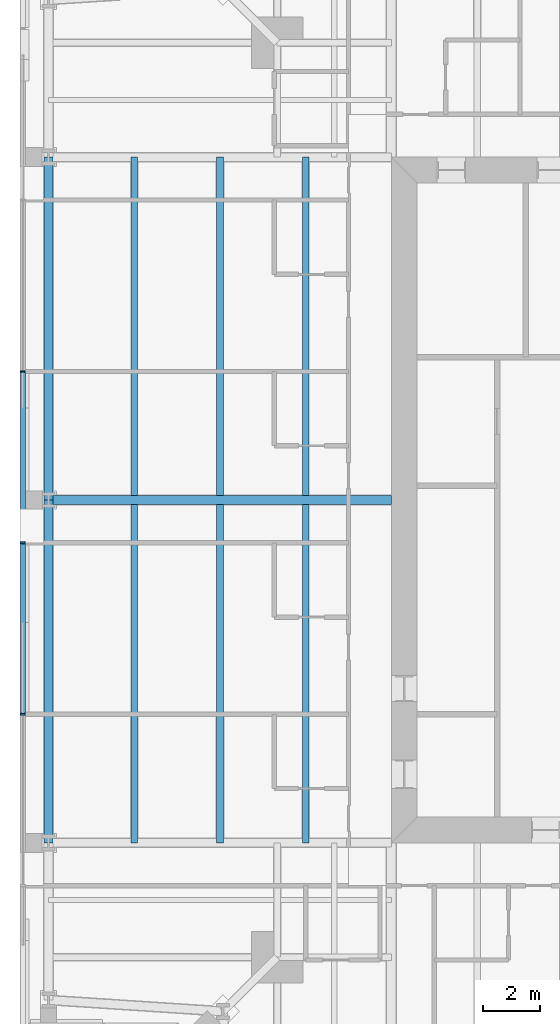
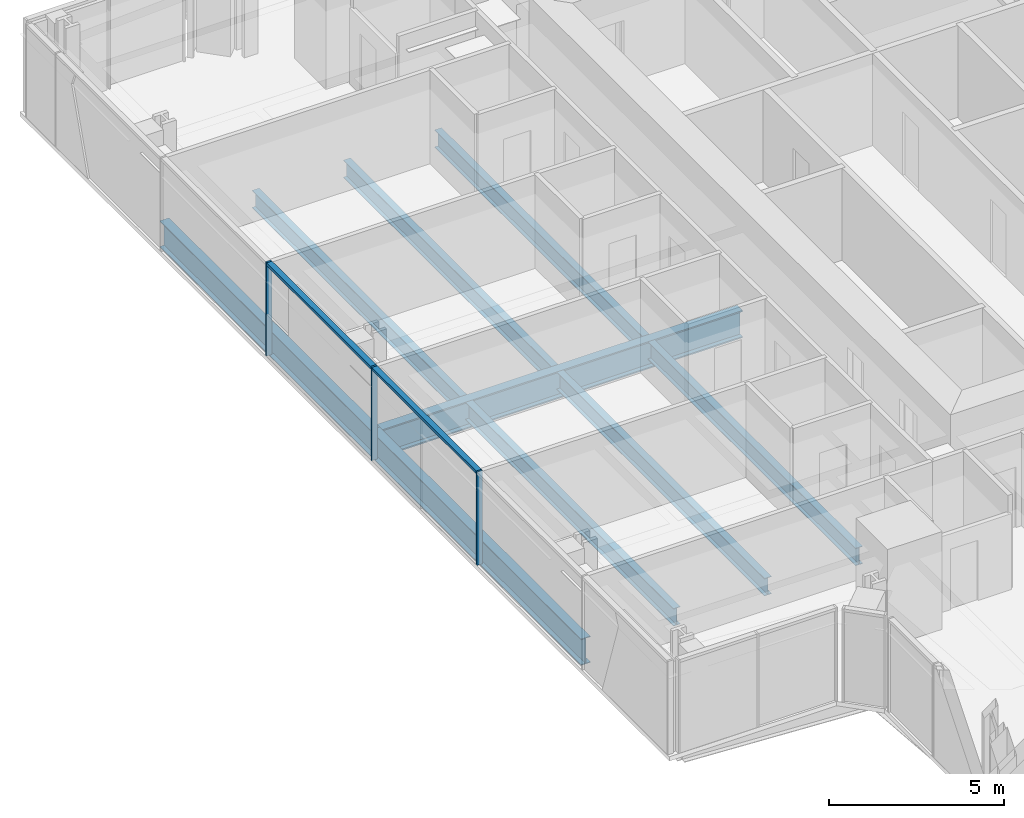
# One storey, part 4 of 20: 9 beams, 5 members, 1 element without a shape of its own.
"""IFC4 building model written with IfcOpenShell, lengths in metres."""

from ifc_helpers import new_model, si_unit, direction, frame, origin, origin_2d, place, context, subcontext, project, spatial, rectangle, i_section, extrude, material, material_profile, profile_set, type_object, element, aggregate, save


model = new_model("IFC4")

# Units and contexts
model_context = context("Model", 3, precision=1e-05, world=origin(), true_north=direction((0.0, 1.0)))
body_context = subcontext(model_context, "Body", "Model", "MODEL_VIEW")
ifc_project = project(units=[si_unit("LENGTHUNIT", "METRE"), si_unit("AREAUNIT", "SQUARE_METRE"), si_unit("VOLUMEUNIT", "CUBIC_METRE"), si_unit("PLANEANGLEUNIT", "RADIAN"), si_unit("MASSUNIT", "GRAM", prefix="KILO")], contexts=[model_context])

# Site, building, storey
site_placement = place(None, origin())
site = spatial("IfcSite", under=ifc_project, at=site_placement, CompositionType="ELEMENT")
building_placement = place(site_placement, origin())
building = spatial("IfcBuilding", under=site, at=building_placement, Name="Fenwick Lantern Interchange", CompositionType="ELEMENT")
storey_placement = place(building_placement, frame((0.0, 0.0, 252.60009765625)))
storey = spatial("IfcBuildingStorey", under=building, at=storey_placement, Name="L59", CompositionType="ELEMENT", Elevation=252.60009765625)

# Beams
ifc_material_1 = material(Name="Steel ASTM A992 Grade 50", Category="steel")
ifc_material_profile_1 = material_profile(ifc_material_1, i_section(OverallWidth=0.3046875, OverallDepth=0.911865234375, WebThickness=0.015869140625, FlangeThickness=0.02392578125, at=origin_2d()), Name="W36X150")
ifc_profile_set_1 = profile_set([ifc_material_profile_1], Name="Steel ASTM A992 Grade 50")
beam_type_1 = type_object("IfcBeamType", Name="EDGE BEAM W36X150", PredefinedType="SPANDREL", material=ifc_profile_set_1)
for number, where, z_axis, x_axis, name in (
    (1, (1.0, 37.0, -0.60595703125), (0.0, -1.0, 0.0), (1.0, 0.0, 0.0), "L59/FR/W/EB2"),
    (2, (1.0, 25.0, -0.60595703125), (0.0, -1.0, 0.0), (1.0, 0.0, 0.0), "L59/FR/W/EB3"),
):
    element("IfcBeam", number, at=place(storey_placement, frame(where, z_axis=z_axis, x_axis=x_axis)), inside=storey, type_object=beam_type_1, Name=name, PredefinedType="SPANDREL", context=body_context, shape_type="SweptSolid", body=[
        extrude(i_section(OverallWidth=0.3046875, OverallDepth=0.911865234375, WebThickness=0.015869140625, FlangeThickness=0.02392578125, at=origin_2d()), origin(), (0.0, 0.0, 1.0), 12.0),
    ])
ifc_material_profile_2 = material_profile(ifc_material_1, i_section(OverallWidth=0.22900390625, OverallDepth=0.612060546875, WebThickness=0.011962890625, FlangeThickness=0.01953125, at=origin_2d()), Name="W24X84")
ifc_profile_set_2 = profile_set([ifc_material_profile_2], Name="Steel ASTM A992 Grade 50")
beam_type_2 = type_object("IfcBeamType", Name="FLOOR BEAM W24X84", PredefinedType="BEAM", material=ifc_profile_set_2)
for number, where, z_axis, x_axis, name in (
    (3, (4.0, 37.0, -0.4560546875), (0.0, -1.0, 0.0), (1.0, 0.0, 0.0), "L59/FR/W/B01"),
    (4, (7.0, 37.0, -0.4560546875), (0.0, -1.0, 0.0), (1.0, 0.0, 0.0), "L59/FR/W/B02"),
    (5, (10.0, 37.0, -0.4560546875), (0.0, -1.0, 0.0), (1.0, 0.0, 0.0), "L59/FR/W/B03"),
    (6, (4.0, 24.844970703125, -0.4560546875), (0.0, -1.0, 0.0), (1.0, 0.0, 0.0), "L59/FR/W/B04"),
    (7, (7.0, 24.844970703125, -0.4560546875), (0.0, -1.0, 0.0), (1.0, 0.0, 0.0), "L59/FR/W/B05"),
    (8, (10.0, 24.844970703125, -0.4560546875), (0.0, -1.0, 0.0), (1.0, 0.0, 0.0), "L59/FR/W/B06"),
):
    element("IfcBeam", number, at=place(storey_placement, frame(where, z_axis=z_axis, x_axis=x_axis)), inside=storey, type_object=beam_type_2, Name=name, PredefinedType="BEAM", context=body_context, shape_type="SweptSolid", body=[
        extrude(i_section(OverallWidth=0.22900390625, OverallDepth=0.612060546875, WebThickness=0.011962890625, FlangeThickness=0.01953125, at=origin_2d()), origin(), (0.0, 0.0, 1.0), 11.844970703125),
    ])

# Curtain wall, members
ifc_material_2 = material(Name="Aluminium curtain wall frame", Category="aluminium")
curtain_wall_type = type_object("IfcCurtainWallType", Name="HOTEL CURTAIN WALL", PredefinedType="USERDEFINED", material=ifc_material_2)
curtain_wall_placement = place(storey_placement, origin())
curtain_wall = element("IfcCurtainWall", 9, at=curtain_wall_placement, inside=storey, type_object=curtain_wall_type, Name="Hotel curtain wall 13", ObjectType="HOTEL CURTAIN WALL", PredefinedType="USERDEFINED")
ifc_material_3 = material(Name="Aluminium extrusion", Category="aluminium")
ifc_material_profile_3 = material_profile(ifc_material_3, rectangle(XDim=0.179931640625, YDim=0.06005859375, at=origin_2d()), Name="HOTEL CURTAIN WALL MULLION 60 X 180")
ifc_profile_set_3 = profile_set([ifc_material_profile_3], Name="Aluminium extrusion")
member_type_1 = type_object("IfcMemberType", Name="HOTEL CURTAIN WALL MULLION 60 X 180", PredefinedType="MULLION", material=ifc_profile_set_3)
member_1_placement = place(storey_placement, frame((0.10009765625, 29.5, 0.0), z_axis=(0.0, 0.0, 1.0), x_axis=(1.0, 0.0, 0.0)))
member_1 = element("IfcMember", 10, at=member_1_placement, type_object=member_type_1, Name="L59/CW/13/M03", PredefinedType="MULLION", context=body_context, shape_type="SweptSolid", body=[
    extrude(rectangle(XDim=0.179931640625, YDim=0.06005859375, at=origin_2d()), origin(), (0.0, 0.0, 1.0), 3.25),
])
member_2_placement = place(storey_placement, frame((0.10009765625, 23.5, 0.0), z_axis=(0.0, 0.0, 1.0), x_axis=(1.0, 0.0, 0.0)))
member_2 = element("IfcMember", 11, at=member_2_placement, type_object=member_type_1, Name="L59/CW/13/M04", PredefinedType="MULLION", context=body_context, shape_type="SweptSolid", body=[
    extrude(rectangle(XDim=0.179931640625, YDim=0.06005859375, at=origin_2d()), origin(), (0.0, 0.0, 1.0), 3.25),
])
member_3_placement = place(storey_placement, frame((0.10009765625, 17.5, 0.0), z_axis=(0.0, 0.0, 1.0), x_axis=(1.0, 0.0, 0.0)))
member_3 = element("IfcMember", 12, at=member_3_placement, type_object=member_type_1, Name="L59/CW/13/M05", PredefinedType="MULLION", context=body_context, shape_type="SweptSolid", body=[
    extrude(rectangle(XDim=0.179931640625, YDim=0.06005859375, at=origin_2d()), origin(), (0.0, 0.0, 1.0), 3.25),
])
ifc_material_profile_4 = material_profile(ifc_material_3, rectangle(XDim=0.179931640625, YDim=0.10009765625, at=origin_2d()), Name="HOTEL CURTAIN WALL TRANSOM 100 X 180")
ifc_profile_set_4 = profile_set([ifc_material_profile_4], Name="Aluminium extrusion")
member_type_2 = type_object("IfcMemberType", Name="HOTEL CURTAIN WALL TRANSOM 100 X 180", PredefinedType="MULLION", material=ifc_profile_set_4)
member_4_placement = place(storey_placement, frame((0.10009765625, 29.469970703125, 3.199951171875), z_axis=(0.0, -1.0, 0.0), x_axis=(1.0, 0.0, 0.0)))
member_4 = element("IfcMember", 13, at=member_4_placement, type_object=member_type_2, Name="L59/CW/13/T03", PredefinedType="MULLION", context=body_context, shape_type="SweptSolid", body=[
    extrude(rectangle(XDim=0.179931640625, YDim=0.10009765625, at=origin_2d()), origin(), (0.0, 0.0, 1.0), 5.93994140625),
])
member_5_placement = place(storey_placement, frame((0.10009765625, 23.469970703125, 3.199951171875), z_axis=(0.0, -1.0, 0.0), x_axis=(1.0, 0.0, 0.0)))
member_5 = element("IfcMember", 14, at=member_5_placement, type_object=member_type_2, Name="L59/CW/13/T04", PredefinedType="MULLION", context=body_context, shape_type="SweptSolid", body=[
    extrude(rectangle(XDim=0.179931640625, YDim=0.10009765625, at=origin_2d()), origin(), (0.0, 0.0, 1.0), 5.93994140625),
])
aggregate(curtain_wall, [member_1, member_2, member_3, member_4, member_5])

# Beam
ifc_material_profile_5 = material_profile(ifc_material_1, i_section(OverallWidth=0.309814453125, OverallDepth=0.949951171875, WebThickness=0.0244140625, FlangeThickness=0.0439453125, at=origin_2d()), Name="W36X256")
ifc_profile_set_5 = profile_set([ifc_material_profile_5], Name="Steel ASTM A992 Grade 50")
beam_type_3 = type_object("IfcBeamType", Name="MOMENT-CONNECTED GIRDER W36X256", PredefinedType="BEAM", material=ifc_profile_set_5)
beam_placement = place(storey_placement, frame((1.0, 25.0, -0.625), z_axis=(1.0, 0.0, 0.0), x_axis=(0.0, 1.0, 0.0)))
element("IfcBeam", 15, at=beam_placement, inside=storey, type_object=beam_type_3, Name="L59/FR/W/R02", PredefinedType="BEAM", context=body_context, shape_type="SweptSolid", body=[
    extrude(i_section(OverallWidth=0.309814453125, OverallDepth=0.949951171875, WebThickness=0.0244140625, FlangeThickness=0.0439453125, at=origin_2d()), origin(), (0.0, 0.0, 1.0), 12.0),
])

save(model, "model.ifc")
